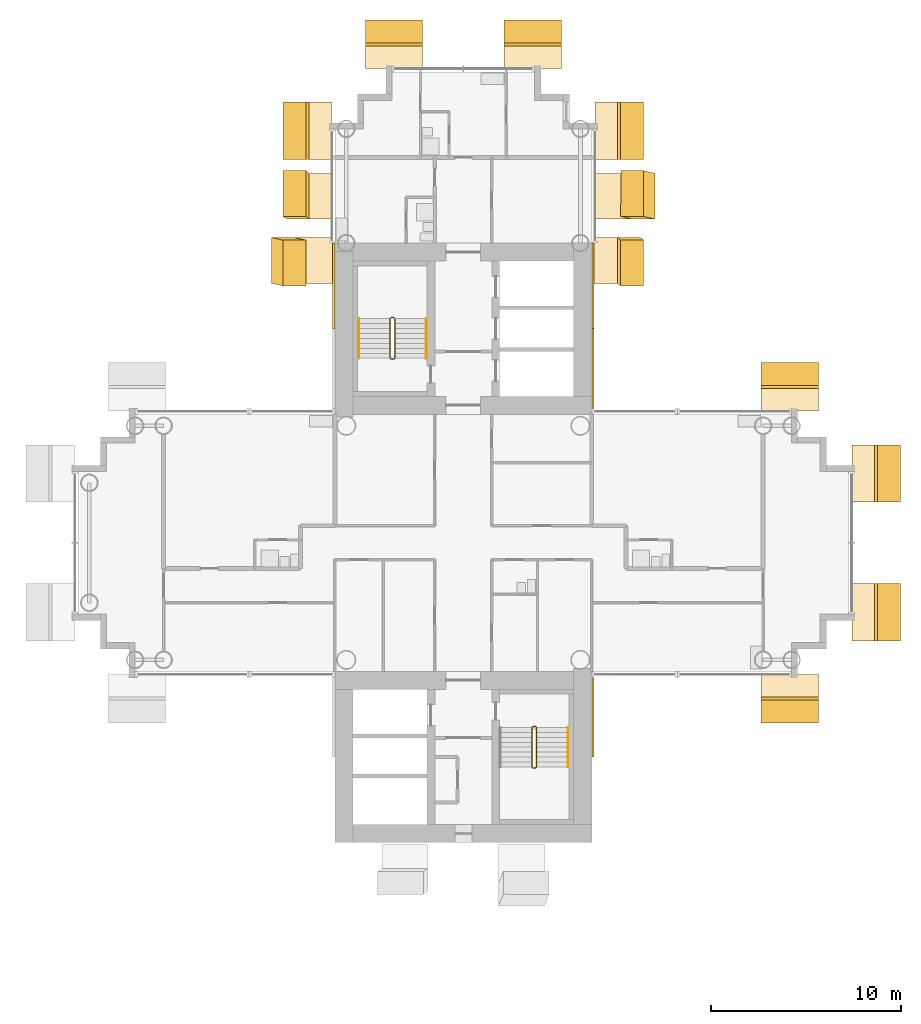
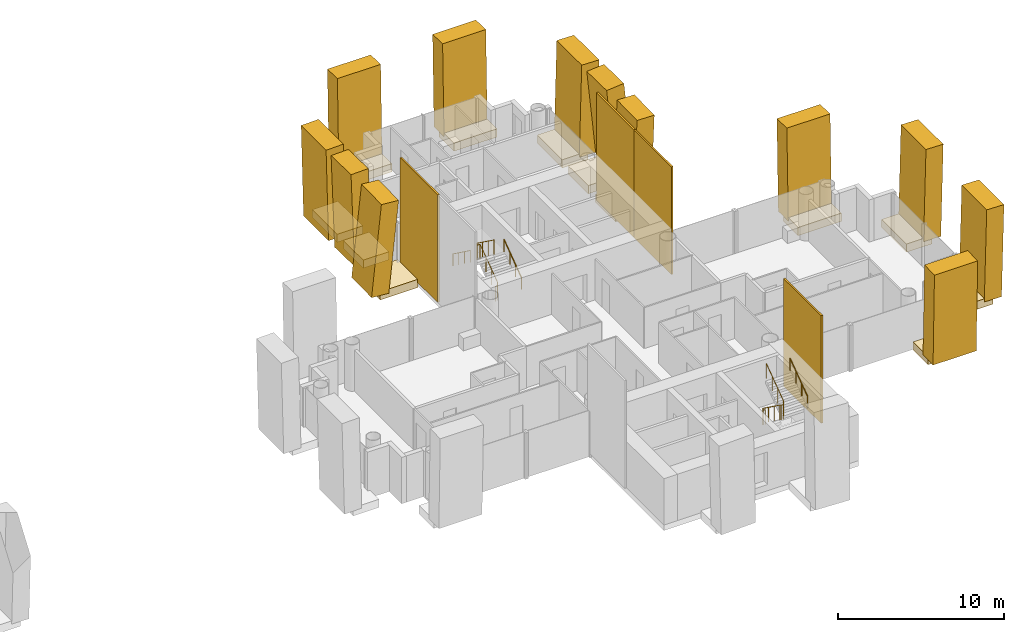
# One storey, part 19 of 20: 28 coverings, 5 railings.
"""IFC4 building model written with IfcOpenShell, lengths in metres."""

from ifc_helpers import new_model, si_unit, direction, frame, origin, origin_2d, place, context, subcontext, project, spatial, rectangle, circle, extrude, material, layer, layer_set, material_profile, profile_set, type_object, element, save


model = new_model("IFC4")

# Units and contexts
model_context = context("Model", 3, precision=1e-05, world=origin(), true_north=direction((0.0, 1.0)))
body_context = subcontext(model_context, "Body", "Model", "MODEL_VIEW")
ifc_project = project(units=[si_unit("LENGTHUNIT", "METRE"), si_unit("AREAUNIT", "SQUARE_METRE"), si_unit("VOLUMEUNIT", "CUBIC_METRE"), si_unit("PLANEANGLEUNIT", "RADIAN"), si_unit("MASSUNIT", "GRAM", prefix="KILO")], contexts=[model_context])

# Site, building, storey
site_placement = place(None, origin())
site = spatial("IfcSite", under=ifc_project, at=site_placement, CompositionType="ELEMENT")
building_placement = place(site_placement, origin())
building = spatial("IfcBuilding", under=site, at=building_placement, Name="Ipe Terrace Towers", CompositionType="ELEMENT")
storey_placement = place(building_placement, frame((0.0, 0.0, 120.800048828125)))
storey = spatial("IfcBuildingStorey", under=building, at=storey_placement, Name="L33", CompositionType="ELEMENT", Elevation=120.800048828125)

# Coverings
ifc_material_1 = material(Name="Concrete C50/60 precast, buff finish", Category="concrete")
ifc_layer = layer(ifc_material_1, 0.1201171875)
ifc_layer_set = layer_set([ifc_layer], Name="STONE CORE CLADDING 120")
covering_type_1 = type_object("IfcCoveringType", Name="STONE CORE CLADDING 120", PredefinedType="CLADDING", material=ifc_layer_set)
covering_1_placement = place(storey_placement, frame((29.18994140625, 13.5, 0.0), z_axis=(0.0, 0.0, 1.0), x_axis=(0.0, -1.0, 0.0)))
element("IfcCovering", 1, at=covering_1_placement, inside=storey, type_object=covering_type_1, Name="stone core cladding", PredefinedType="CLADDING", context=body_context, shape_type="SweptSolid", body=[
    extrude(rectangle(XDim=4.5009765625, YDim=0.1201171875, at=origin_2d()), origin(), (0.0, 0.0, 1.0), 7.89990234375),
])
for number, where, z_axis, x_axis, name in (
    (2, (42.81005859375, -9.0, 0.0), (0.0, 0.0, 1.0), (0.0, 1.0, 0.0), "stone core cladding"),
    (3, (42.81005859375, 9.0, 0.0), (0.0, 0.0, 1.0), (0.0, 1.0, 0.0), "stone core cladding"),
):
    element("IfcCovering", number, at=place(storey_placement, frame(where, z_axis=z_axis, x_axis=x_axis)), inside=storey, type_object=covering_type_1, Name=name, PredefinedType="CLADDING", context=body_context, shape_type="SweptSolid", body=[
        extrude(rectangle(XDim=4.5, YDim=0.1201171875, at=origin_2d()), origin(), (0.0, 0.0, 1.0), 7.89990234375),
    ])
covering_2_placement = place(storey_placement, frame((42.81005859375, 13.5, 0.0), z_axis=(0.0, 0.0, 1.0), x_axis=(0.0, 1.0, 0.0)))
element("IfcCovering", 4, at=covering_2_placement, inside=storey, type_object=covering_type_1, Name="stone core cladding", PredefinedType="CLADDING", context=body_context, shape_type="SweptSolid", body=[
    extrude(rectangle(XDim=4.5009765625, YDim=0.1201171875, at=origin_2d()), origin(), (0.0, 0.0, 1.0), 7.89990234375),
])
ifc_material_2 = material(Name="Concrete C50/60 precast, buff finish", Category="concrete")
ifc_material_profile_1 = material_profile(ifc_material_2, rectangle(XDim=2.39990234375, YDim=1.199951171875, at=origin_2d()), Name="STONE FIN 2400 x 1200")
ifc_profile_set_1 = profile_set([ifc_material_profile_1], Name="Concrete C50/60 precast, buff finish")
covering_type_2 = type_object("IfcCoveringType", Name="STONE FIN 2400 x 1200", PredefinedType="USERDEFINED", material=ifc_profile_set_1)
covering_3_placement = place(storey_placement, frame((26.52490234375, 14.8359375, 0.0), z_axis=(0.089912006855, -0.020210245286, 0.995744634436), x_axis=(-0.001817514937, -0.999795752134, -0.020128354477)))
element("IfcCovering", 5, at=covering_3_placement, inside=storey, type_object=covering_type_2, Name="stone fin", ObjectType="FIN", PredefinedType="USERDEFINED", context=body_context, shape_type="SweptSolid", body=[
    extrude(rectangle(XDim=2.39990234375, YDim=1.199951171875, at=origin_2d()), origin(), (0.0, 0.0, 1.0), 6.728515625),
])
for number, where, z_axis, x_axis, name in (
    (6, (27.298095703125, 18.214111328125, 0.0), (-0.025093510566, 0.020286045552, 0.999479260457), (-0.000509152872, -0.999794217005, 0.020279655014), "stone fin"),
    (7, (44.701904296875, 14.8359375, 0.0), (0.025093510566, -0.020286045552, 0.999479260457), (0.000509152872, 0.999794217005, 0.020279655014), "stone fin"),
):
    element("IfcCovering", number, at=place(storey_placement, frame(where, z_axis=z_axis, x_axis=x_axis)), inside=storey, type_object=covering_type_2, Name=name, ObjectType="FIN", PredefinedType="USERDEFINED", context=body_context, shape_type="SweptSolid", body=[
        extrude(rectangle(XDim=2.39990234375, YDim=1.199951171875, at=origin_2d()), origin(), (0.0, 0.0, 1.0), 6.703369140625),
    ])
covering_4_placement = place(storey_placement, frame((45.47509765625, 18.214111328125, 0.0), z_axis=(-0.089912006855, 0.020210245286, 0.995744634436), x_axis=(0.001817514937, 0.999795752134, -0.020128354477)))
element("IfcCovering", 8, at=covering_4_placement, inside=storey, type_object=covering_type_2, Name="stone fin", ObjectType="FIN", PredefinedType="USERDEFINED", context=body_context, shape_type="SweptSolid", body=[
    extrude(rectangle(XDim=2.39990234375, YDim=1.199951171875, at=origin_2d()), origin(), (0.0, 0.0, 1.0), 6.728515625),
])
ifc_material_3 = material(Name="Concrete C50/60 precast, buff finish", Category="concrete")
ifc_material_profile_2 = material_profile(ifc_material_3, rectangle(XDim=3.0, YDim=1.199951171875, at=origin_2d()), Name="STONE FIN CORNER 3000 x 1200")
ifc_profile_set_2 = profile_set([ifc_material_profile_2], Name="Concrete C50/60 precast, buff finish")
covering_type_3 = type_object("IfcCoveringType", Name="STONE FIN CORNER 3000 x 1200", PredefinedType="USERDEFINED", material=ifc_profile_set_2)
for number, where, z_axis, x_axis, name in (
    (9, (27.298095703125, 21.64990234375, 0.0), (-0.025098675446, 0.0, 0.999684978626), (0.0, -1.0, 0.0), "stone fin"),
    (10, (32.35009765625, 26.701904296875, 0.0), (0.0, 0.025098675446, 0.999684978626), (-1.0, 0.0, 0.0), "stone fin"),
    (11, (39.64990234375, 26.701904296875, 0.0), (0.0, 0.025098675446, 0.999684978626), (-1.0, 0.0, 0.0), "stone fin"),
    (12, (44.701904296875, 21.64990234375, 0.0), (0.025098675446, 0.0, 0.999684978626), (0.0, 1.0, 0.0), "stone fin"),
    (13, (53.14990234375, -8.701904296875, 0.0), (0.0, -0.025098675446, 0.999684978626), (1.0, 0.0, 0.0), "stone fin"),
    (14, (53.14990234375, 8.701904296875, 0.0), (0.0, 0.025098675446, 0.999684978626), (-1.0, 0.0, 0.0), "stone fin"),
    (15, (58.201904296875, -3.64990234375, 0.0), (0.025098675446, 0.0, 0.999684978626), (0.0, 1.0, 0.0), "stone fin"),
    (16, (58.201904296875, 3.64990234375, 0.0), (0.025098675446, 0.0, 0.999684978626), (0.0, 1.0, 0.0), "stone fin"),
):
    element("IfcCovering", number, at=place(storey_placement, frame(where, z_axis=z_axis, x_axis=x_axis)), inside=storey, type_object=covering_type_3, Name=name, ObjectType="FIN", PredefinedType="USERDEFINED", context=body_context, shape_type="SweptSolid", body=[
        extrude(rectangle(XDim=3.0, YDim=1.199951171875, at=origin_2d()), origin(), (0.0, 0.0, 1.0), 6.7021484375),
    ])
ifc_material_4 = material(Name="Concrete C50/60 precast, buff finish", Category="concrete")
covering_type_4 = type_object("IfcCoveringType", Name="STONE FIN SHELF 2400 x 600", PredefinedType="CLADDING", material=ifc_material_4)
covering_5_placement = place(storey_placement, frame((27.83203125, 14.8359375, -0.35009765625), z_axis=(0.0, 0.0, 1.0), x_axis=(0.0, -1.0, 0.0)))
element("IfcCovering", 17, at=covering_5_placement, inside=storey, type_object=covering_type_4, Name="stone fin shelf", PredefinedType="CLADDING", context=body_context, shape_type="SweptSolid", body=[
    extrude(rectangle(XDim=2.39990234375, YDim=2.614990234375, at=origin_2d()), origin(), (0.0, 0.0, 1.0), 0.60009765625),
])
covering_6_placement = place(storey_placement, frame((28.19091796875, 18.214111328125, -0.35009765625), z_axis=(0.0, 0.0, 1.0), x_axis=(0.0, -1.0, 0.0)))
element("IfcCovering", 18, at=covering_6_placement, inside=storey, type_object=covering_type_4, Name="stone fin shelf", PredefinedType="CLADDING", context=body_context, shape_type="SweptSolid", body=[
    extrude(rectangle(XDim=2.39990234375, YDim=1.785888671875, at=origin_2d()), origin(), (0.0, 0.0, 1.0), 0.60009765625),
])
covering_7_placement = place(storey_placement, frame((43.781005859375, 14.8359375, -0.35009765625), z_axis=(0.0, 0.0, 1.0), x_axis=(0.0, 1.0, 0.0)))
element("IfcCovering", 19, at=covering_7_placement, inside=storey, type_object=covering_type_4, Name="stone fin shelf", PredefinedType="CLADDING", context=body_context, shape_type="SweptSolid", body=[
    extrude(rectangle(XDim=2.39990234375, YDim=1.842041015625, at=origin_2d()), origin(), (0.0, 0.0, 1.0), 0.60009765625),
])
covering_8_placement = place(storey_placement, frame((44.196044921875, 18.214111328125, -0.35009765625), z_axis=(0.0, 0.0, 1.0), x_axis=(0.0, 1.0, 0.0)))
element("IfcCovering", 20, at=covering_8_placement, inside=storey, type_object=covering_type_4, Name="stone fin shelf", PredefinedType="CLADDING", context=body_context, shape_type="SweptSolid", body=[
    extrude(rectangle(XDim=2.39990234375, YDim=2.55908203125, at=origin_2d()), origin(), (0.0, 0.0, 1.0), 0.60009765625),
])
ifc_material_5 = material(Name="Concrete C50/60 precast, buff finish", Category="concrete")
covering_type_5 = type_object("IfcCoveringType", Name="STONE FIN SHELF 3000 x 600", PredefinedType="CLADDING", material=ifc_material_5)
for number, where, z_axis, x_axis, name in (
    (21, (28.19091796875, 21.64990234375, -0.35009765625), (0.0, 0.0, 1.0), (0.0, -1.0, 0.0), "stone fin shelf"),
    (22, (32.35009765625, 25.80908203125, -0.35009765625), (0.0, 0.0, 1.0), (-1.0, 0.0, 0.0), "stone fin shelf"),
    (23, (39.64990234375, 25.80908203125, -0.35009765625), (0.0, 0.0, 1.0), (-1.0, 0.0, 0.0), "stone fin shelf"),
    (24, (43.80908203125, 21.64990234375, -0.35009765625), (0.0, 0.0, 1.0), (0.0, 1.0, 0.0), "stone fin shelf"),
    (25, (53.14990234375, -7.80908203125, -0.35009765625), (0.0, 0.0, 1.0), (1.0, 0.0, 0.0), "stone fin shelf"),
    (26, (53.14990234375, 7.80908203125, -0.35009765625), (0.0, 0.0, 1.0), (-1.0, 0.0, 0.0), "stone fin shelf"),
    (27, (57.30908203125, -3.64990234375, -0.35009765625), (0.0, 0.0, 1.0), (0.0, 1.0, 0.0), "stone fin shelf"),
    (28, (57.30908203125, 3.64990234375, -0.35009765625), (0.0, 0.0, 1.0), (0.0, 1.0, 0.0), "stone fin shelf"),
):
    element("IfcCovering", number, at=place(storey_placement, frame(where, z_axis=z_axis, x_axis=x_axis)), inside=storey, type_object=covering_type_5, Name=name, PredefinedType="CLADDING", context=body_context, shape_type="SweptSolid", body=[
        extrude(rectangle(XDim=3.0, YDim=1.785888671875, at=origin_2d()), origin(), (0.0, 0.0, 1.0), 0.60009765625),
    ])

# Railings
ifc_material_6 = material(Name="Steel S355", Category="steel")
railing_type_1 = type_object("IfcRailingType", Name="Stair guard 1100", PredefinedType="GUARDRAIL", material=ifc_material_6)
railing_1_placement = place(storey_placement, frame((32.199951171875, 9.64990234375, 0.0)))
element("IfcRailing", 29, at=railing_1_placement, inside=storey, type_object=railing_type_1, Name="L33 T2-ST1 stair guard 1", PredefinedType="GUARDRAIL", context=body_context, shape_type="SweptSolid", body=[
    extrude(circle(Radius=0.02392578125, at=origin_2d()), frame((0.0, 0.0, 1.076171875), z_axis=(1.0, 0.0, 0.0), x_axis=(0.0, 1.0, 0.0)), (0.0, 0.0, 1.0), 0.150146484375),
    extrude(circle(Radius=0.02392578125, at=origin_2d()), frame((0.150146484375, 0.0, 1.076171875), z_axis=(0.247173786771, 0.248385422981, 0.936594790069), x_axis=(-0.708833529934, 0.705375805398, 0.0)), (0.0, 0.0, 1.0), 0.201416015625),
    extrude(circle(Radius=0.02392578125, at=origin_2d()), frame((0.199951171875, 0.050048828125, 1.2646484375), z_axis=(0.0, 0.809023421508, 0.587776406001), x_axis=(-1.0, 0.0, 0.0)), (0.0, 0.0, 1.0), 2.571044921875),
    extrude(circle(Radius=0.02392578125, at=origin_2d()), frame((0.199951171875, 2.130126953125, 2.77587890625), z_axis=(-0.705375805398, 0.708833529934, 0.0), x_axis=(-0.708833529934, -0.705375805398, 0.0)), (0.0, 0.0, 1.0), 0.070556640625),
    extrude(circle(Radius=0.02392578125, at=origin_2d()), frame((0.150146484375, 2.18017578125, 2.77587890625), z_axis=(-1.0, 0.0, 0.0), x_axis=(0.0, -1.0, 0.0)), (0.0, 0.0, 1.0), 0.150146484375),
    extrude(circle(Radius=0.02392578125, at=origin_2d()), frame((0.0, 2.18017578125, 2.77587890625), z_axis=(-0.248029566107, -0.248029566107, 0.936462849596), x_axis=(0.707106781187, -0.707106781187, 0.0)), (0.0, 0.0, 1.0), 0.201904296875),
    extrude(circle(Radius=0.02392578125, at=origin_2d()), frame((-0.050048828125, 2.130126953125, 2.96484375), z_axis=(0.0, -0.809068575486, 0.587714250432), x_axis=(1.0, 0.0, 0.0)), (0.0, 0.0, 1.0), 2.571044921875),
    extrude(circle(Radius=0.02099609375, at=origin_2d()), origin(), (0.0, 0.0, 1.0), 1.052001953125),
    extrude(circle(Radius=0.02099609375, at=origin_2d()), frame((0.150146484375, 0.0, 0.0)), (0.0, 0.0, 1.0), 1.052001953125),
    extrude(circle(Radius=0.02099609375, at=origin_2d()), frame((0.199951171875, 0.050048828125, 0.188720703125)), (0.0, 0.0, 1.0), 1.052001953125),
    extrude(circle(Radius=0.02099609375, at=origin_2d()), frame((0.199951171875, 0.743408203125, 0.6923828125)), (0.0, 0.0, 1.0), 1.052001953125),
    extrude(circle(Radius=0.02099609375, at=origin_2d()), frame((0.199951171875, 1.436767578125, 1.1962890625)), (0.0, 0.0, 1.0), 1.052001953125),
    extrude(circle(Radius=0.02099609375, at=origin_2d()), frame((0.199951171875, 2.130126953125, 1.699951171875)), (0.0, 0.0, 1.0), 1.052001953125),
    extrude(circle(Radius=0.02099609375, at=origin_2d()), frame((0.150146484375, 2.18017578125, 1.699951171875)), (0.0, 0.0, 1.0), 1.052001953125),
    extrude(circle(Radius=0.02099609375, at=origin_2d()), frame((0.0, 2.18017578125, 1.699951171875)), (0.0, 0.0, 1.0), 1.052001953125),
    extrude(circle(Radius=0.02099609375, at=origin_2d()), frame((-0.050048828125, 2.130126953125, 1.888916015625)), (0.0, 0.0, 1.0), 1.052001953125),
    extrude(circle(Radius=0.02099609375, at=origin_2d()), frame((-0.050048828125, 1.436767578125, 2.392578125)), (0.0, 0.0, 1.0), 1.052001953125),
    extrude(circle(Radius=0.02099609375, at=origin_2d()), frame((-0.050048828125, 0.743408203125, 2.896240234375)), (0.0, 0.0, 1.0), 1.052001953125),
    extrude(circle(Radius=0.02099609375, at=origin_2d()), frame((-0.050048828125, 0.050048828125, 3.39990234375)), (0.0, 0.0, 1.0), 1.052001953125),
])
railing_2_placement = place(storey_placement, frame((39.800048828125, -9.64990234375, 0.0)))
element("IfcRailing", 30, at=railing_2_placement, inside=storey, type_object=railing_type_1, Name="L33 T2-ST2 stair guard 1", PredefinedType="GUARDRAIL", context=body_context, shape_type="SweptSolid", body=[
    extrude(circle(Radius=0.02392578125, at=origin_2d()), frame((0.0, 0.0, 1.076171875), z_axis=(-1.0, 0.0, 0.0), x_axis=(0.0, -1.0, 0.0)), (0.0, 0.0, 1.0), 0.150146484375),
    extrude(circle(Radius=0.02392578125, at=origin_2d()), frame((-0.150146484375, 0.0, 1.076171875), z_axis=(-0.247173786771, -0.248385422981, 0.936594790069), x_axis=(0.708833529934, -0.705375805398, 0.0)), (0.0, 0.0, 1.0), 0.201416015625),
    extrude(circle(Radius=0.02392578125, at=origin_2d()), frame((-0.199951171875, -0.050048828125, 1.2646484375), z_axis=(0.0, -0.809023421508, 0.587776406001), x_axis=(1.0, 0.0, 0.0)), (0.0, 0.0, 1.0), 2.571044921875),
    extrude(circle(Radius=0.02392578125, at=origin_2d()), frame((-0.199951171875, -2.130126953125, 2.77587890625), z_axis=(0.705375805398, -0.708833529934, 0.0), x_axis=(0.708833529934, 0.705375805398, 0.0)), (0.0, 0.0, 1.0), 0.070556640625),
    extrude(circle(Radius=0.02392578125, at=origin_2d()), frame((-0.150146484375, -2.18017578125, 2.77587890625), z_axis=(1.0, 0.0, 0.0), x_axis=(0.0, 1.0, 0.0)), (0.0, 0.0, 1.0), 0.150146484375),
    extrude(circle(Radius=0.02392578125, at=origin_2d()), frame((0.0, -2.18017578125, 2.77587890625), z_axis=(0.248029566107, 0.248029566107, 0.936462849596), x_axis=(-0.707106781187, 0.707106781187, 0.0)), (0.0, 0.0, 1.0), 0.201904296875),
    extrude(circle(Radius=0.02392578125, at=origin_2d()), frame((0.050048828125, -2.130126953125, 2.96484375), z_axis=(0.0, 0.809068575486, 0.587714250432), x_axis=(-1.0, 0.0, 0.0)), (0.0, 0.0, 1.0), 2.571044921875),
    extrude(circle(Radius=0.02099609375, at=origin_2d()), origin(), (0.0, 0.0, 1.0), 1.052001953125),
    extrude(circle(Radius=0.02099609375, at=origin_2d()), frame((-0.150146484375, 0.0, 0.0)), (0.0, 0.0, 1.0), 1.052001953125),
    extrude(circle(Radius=0.02099609375, at=origin_2d()), frame((-0.199951171875, -0.050048828125, 0.188720703125)), (0.0, 0.0, 1.0), 1.052001953125),
    extrude(circle(Radius=0.02099609375, at=origin_2d()), frame((-0.199951171875, -0.743408203125, 0.6923828125)), (0.0, 0.0, 1.0), 1.052001953125),
    extrude(circle(Radius=0.02099609375, at=origin_2d()), frame((-0.199951171875, -1.436767578125, 1.1962890625)), (0.0, 0.0, 1.0), 1.052001953125),
    extrude(circle(Radius=0.02099609375, at=origin_2d()), frame((-0.199951171875, -2.130126953125, 1.699951171875)), (0.0, 0.0, 1.0), 1.052001953125),
    extrude(circle(Radius=0.02099609375, at=origin_2d()), frame((-0.150146484375, -2.18017578125, 1.699951171875)), (0.0, 0.0, 1.0), 1.052001953125),
    extrude(circle(Radius=0.02099609375, at=origin_2d()), frame((0.0, -2.18017578125, 1.699951171875)), (0.0, 0.0, 1.0), 1.052001953125),
    extrude(circle(Radius=0.02099609375, at=origin_2d()), frame((0.050048828125, -2.130126953125, 1.888916015625)), (0.0, 0.0, 1.0), 1.052001953125),
    extrude(circle(Radius=0.02099609375, at=origin_2d()), frame((0.050048828125, -1.436767578125, 2.392578125)), (0.0, 0.0, 1.0), 1.052001953125),
    extrude(circle(Radius=0.02099609375, at=origin_2d()), frame((0.050048828125, -0.743408203125, 2.896240234375)), (0.0, 0.0, 1.0), 1.052001953125),
    extrude(circle(Radius=0.02099609375, at=origin_2d()), frame((0.050048828125, -0.050048828125, 3.39990234375)), (0.0, 0.0, 1.0), 1.052001953125),
])
ifc_material_7 = material(Name="Stainless steel grade 304", Category="steel")
railing_type_2 = type_object("IfcRailingType", Name="Stair handrail 900", PredefinedType="HANDRAIL", material=ifc_material_7)
railing_3_placement = place(storey_placement, frame((34.050048828125, 9.699951171875, 0.188720703125)))
element("IfcRailing", 31, at=railing_3_placement, inside=storey, type_object=railing_type_2, Name="L33 T2-ST1 stair handrail 1", PredefinedType="HANDRAIL", context=body_context, shape_type="SweptSolid", body=[
    extrude(circle(Radius=0.02392578125, at=origin_2d()), frame((0.0, 0.0, 0.8759765625), z_axis=(0.0, 0.809023421508, 0.587776406001), x_axis=(-1.0, 0.0, 0.0)), (0.0, 0.0, 1.0), 2.571044921875),
    extrude(circle(Radius=0.02099609375, at=origin_2d()), origin(), (0.0, 0.0, 1.0), 0.851806640625),
    extrude(circle(Radius=0.02099609375, at=origin_2d()), frame((0.0, 0.693359375, 0.503662109375)), (0.0, 0.0, 1.0), 0.851806640625),
    extrude(circle(Radius=0.02099609375, at=origin_2d()), frame((0.0, 1.38671875, 1.007568359375)), (0.0, 0.0, 1.0), 0.851806640625),
    extrude(circle(Radius=0.02099609375, at=origin_2d()), frame((0.0, 2.080078125, 1.51123046875)), (0.0, 0.0, 1.0), 0.851806640625),
])
railing_4_placement = place(storey_placement, frame((30.5, 11.780029296875, 1.888916015625)))
element("IfcRailing", 32, at=railing_4_placement, inside=storey, type_object=railing_type_2, Name="L33 T2-ST1 stair handrail 2", PredefinedType="HANDRAIL", context=body_context, shape_type="SweptSolid", body=[
    extrude(circle(Radius=0.02392578125, at=origin_2d()), frame((0.0, 0.0, 0.8759765625), z_axis=(0.0, -0.809068575486, 0.587714250432), x_axis=(1.0, 0.0, 0.0)), (0.0, 0.0, 1.0), 2.571044921875),
    extrude(circle(Radius=0.02099609375, at=origin_2d()), origin(), (0.0, 0.0, 1.0), 0.851806640625),
    extrude(circle(Radius=0.02099609375, at=origin_2d()), frame((0.0, -0.693359375, 0.503662109375)), (0.0, 0.0, 1.0), 0.851806640625),
    extrude(circle(Radius=0.02099609375, at=origin_2d()), frame((0.0, -1.38671875, 1.00732421875)), (0.0, 0.0, 1.0), 0.851806640625),
    extrude(circle(Radius=0.02099609375, at=origin_2d()), frame((0.0, -2.080078125, 1.510986328125)), (0.0, 0.0, 1.0), 0.851806640625),
])
railing_5_placement = place(storey_placement, frame((41.5, -11.780029296875, 1.888916015625)))
element("IfcRailing", 33, at=railing_5_placement, inside=storey, type_object=railing_type_2, Name="L33 T2-ST2 stair handrail 2", PredefinedType="HANDRAIL", context=body_context, shape_type="SweptSolid", body=[
    extrude(circle(Radius=0.02392578125, at=origin_2d()), frame((0.0, 0.0, 0.8759765625), z_axis=(0.0, 0.809068575486, 0.587714250432), x_axis=(-1.0, 0.0, 0.0)), (0.0, 0.0, 1.0), 2.571044921875),
    extrude(circle(Radius=0.02099609375, at=origin_2d()), origin(), (0.0, 0.0, 1.0), 0.851806640625),
    extrude(circle(Radius=0.02099609375, at=origin_2d()), frame((0.0, 0.693359375, 0.503662109375)), (0.0, 0.0, 1.0), 0.851806640625),
    extrude(circle(Radius=0.02099609375, at=origin_2d()), frame((0.0, 1.38671875, 1.00732421875)), (0.0, 0.0, 1.0), 0.851806640625),
    extrude(circle(Radius=0.02099609375, at=origin_2d()), frame((0.0, 2.080078125, 1.510986328125)), (0.0, 0.0, 1.0), 0.851806640625),
])

save(model, "model.ifc")
